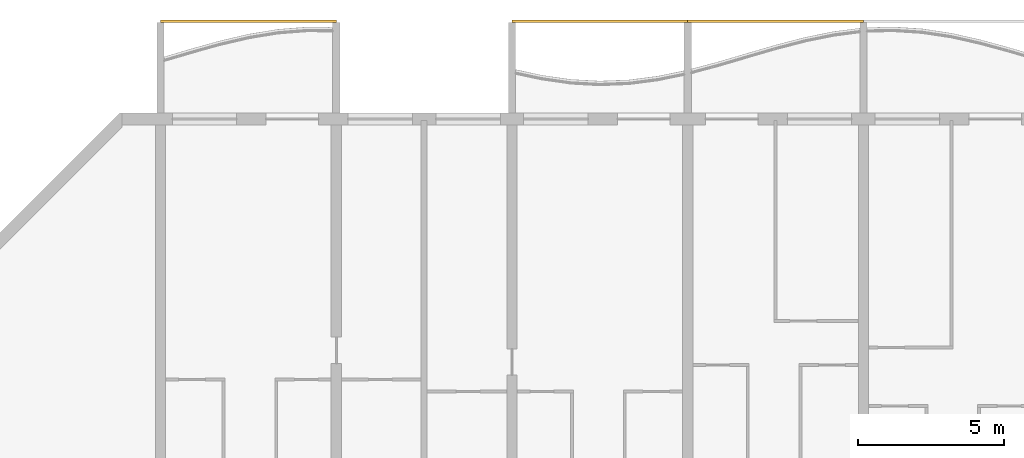
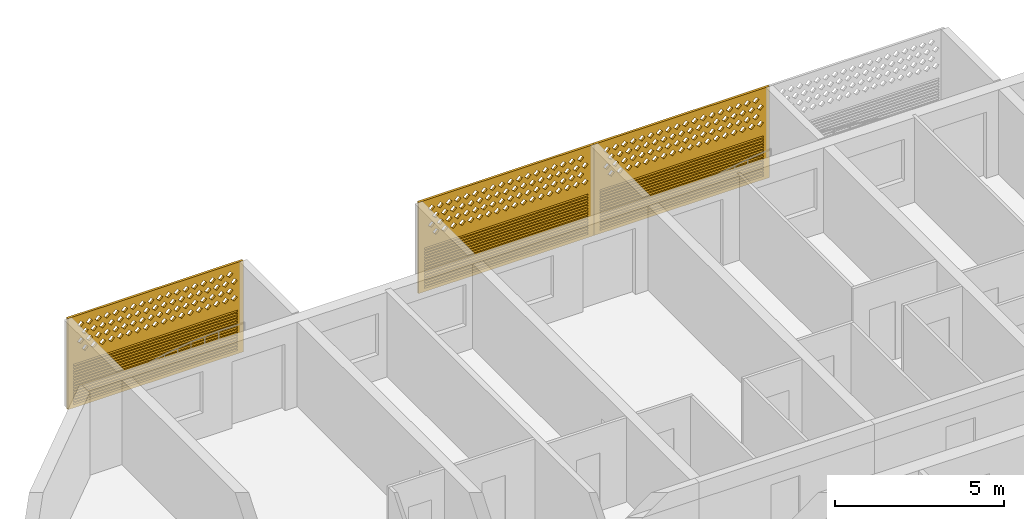
# One storey, part 20 of 25: 3 coverings.
"""IFC4 building model written with IfcOpenShell, lengths in metres."""

from ifc_helpers import new_model, si_unit, direction, frame, origin, place, context, subcontext, project, spatial, polyline, outline, extrude, source, transform, mapped, material, material_profile, profile_set, type_object, element, save


model = new_model("IFC4")

# Units and contexts
model_context = context("Model", 3, precision=1e-05, world=origin(), true_north=direction((0.0, 1.0)))
body_context = subcontext(model_context, "Body", "Model", "MODEL_VIEW")
ifc_project = project(units=[si_unit("LENGTHUNIT", "METRE"), si_unit("AREAUNIT", "SQUARE_METRE"), si_unit("VOLUMEUNIT", "CUBIC_METRE"), si_unit("PLANEANGLEUNIT", "RADIAN"), si_unit("MASSUNIT", "GRAM", prefix="KILO")], contexts=[model_context])

# Site, building, storey
site_placement = place(None, origin())
site = spatial("IfcSite", under=ifc_project, at=site_placement, CompositionType="ELEMENT")
building_placement = place(site_placement, origin())
building = spatial("IfcBuilding", under=site, at=building_placement, Name="Poui Terraces", CompositionType="ELEMENT")
storey_placement = place(building_placement, frame((0.0, 0.0, 89.39990234375)))
storey = spatial("IfcBuildingStorey", under=building, at=storey_placement, Name="L24", CompositionType="ELEMENT", Elevation=89.39990234375)

# Coverings
ifc_material = material(Name="Terracotta screen", Category="masonry")
ifc_material_profile = material_profile(ifc_material, outline(polyline([(-3.0, -1.64990234375), (3.0, -1.64990234375), (3.0, 1.64990234375), (-3.0, 1.64990234375), (-3.0, -1.64990234375)]), holes=[polyline([(-2.800048828125, 0.39990234375), (-2.68994140625, 0.2900390625), (-2.580078125, 0.39990234375), (-2.68994140625, 0.510009765625), (-2.800048828125, 0.39990234375)]), polyline([(-2.5, 0.39990234375), (-2.389892578125, 0.2900390625), (-2.280029296875, 0.39990234375), (-2.389892578125, 0.510009765625), (-2.5, 0.39990234375)]), polyline([(-2.199951171875, 0.39990234375), (-2.090087890625, 0.2900390625), (-1.97998046875, 0.39990234375), (-2.090087890625, 0.510009765625), (-2.199951171875, 0.39990234375)]), polyline([(-1.89990234375, 0.39990234375), (-1.7900390625, 0.2900390625), (-1.679931640625, 0.39990234375), (-1.7900390625, 0.510009765625), (-1.89990234375, 0.39990234375)]), polyline([(-1.60009765625, 0.39990234375), (-1.489990234375, 0.2900390625), (-1.3798828125, 0.39990234375), (-1.489990234375, 0.510009765625), (-1.60009765625, 0.39990234375)]), polyline([(-1.300048828125, 0.39990234375), (-1.18994140625, 0.2900390625), (-1.080078125, 0.39990234375), (-1.18994140625, 0.510009765625), (-1.300048828125, 0.39990234375)]), polyline([(-1.0, 0.39990234375), (-0.889892578125, 0.2900390625), (-0.780029296875, 0.39990234375), (-0.889892578125, 0.510009765625), (-1.0, 0.39990234375)]), polyline([(-0.699951171875, 0.39990234375), (-0.590087890625, 0.2900390625), (-0.47998046875, 0.39990234375), (-0.590087890625, 0.510009765625), (-0.699951171875, 0.39990234375)]), polyline([(-0.39990234375, 0.39990234375), (-0.2900390625, 0.2900390625), (-0.179931640625, 0.39990234375), (-0.2900390625, 0.510009765625), (-0.39990234375, 0.39990234375)]), polyline([(-0.10009765625, 0.39990234375), (0.010009765625, 0.2900390625), (0.1201171875, 0.39990234375), (0.010009765625, 0.510009765625), (-0.10009765625, 0.39990234375)]), polyline([(0.199951171875, 0.39990234375), (0.31005859375, 0.2900390625), (0.419921875, 0.39990234375), (0.31005859375, 0.510009765625), (0.199951171875, 0.39990234375)]), polyline([(0.5, 0.39990234375), (0.610107421875, 0.2900390625), (0.719970703125, 0.39990234375), (0.610107421875, 0.510009765625), (0.5, 0.39990234375)]), polyline([(0.800048828125, 0.39990234375), (0.909912109375, 0.2900390625), (1.02001953125, 0.39990234375), (0.909912109375, 0.510009765625), (0.800048828125, 0.39990234375)]), polyline([(1.10009765625, 0.39990234375), (1.2099609375, 0.2900390625), (1.320068359375, 0.39990234375), (1.2099609375, 0.510009765625), (1.10009765625, 0.39990234375)]), polyline([(1.39990234375, 0.39990234375), (1.510009765625, 0.2900390625), (1.6201171875, 0.39990234375), (1.510009765625, 0.510009765625), (1.39990234375, 0.39990234375)]), polyline([(1.699951171875, 0.39990234375), (1.81005859375, 0.2900390625), (1.919921875, 0.39990234375), (1.81005859375, 0.510009765625), (1.699951171875, 0.39990234375)]), polyline([(2.0, 0.39990234375), (2.110107421875, 0.2900390625), (2.219970703125, 0.39990234375), (2.110107421875, 0.510009765625), (2.0, 0.39990234375)]), polyline([(2.300048828125, 0.39990234375), (2.409912109375, 0.2900390625), (2.52001953125, 0.39990234375), (2.409912109375, 0.510009765625), (2.300048828125, 0.39990234375)]), polyline([(-2.64990234375, 0.699951171875), (-2.5400390625, 0.590087890625), (-2.429931640625, 0.699951171875), (-2.5400390625, 0.81005859375), (-2.64990234375, 0.699951171875)]), polyline([(-2.35009765625, 0.699951171875), (-2.239990234375, 0.590087890625), (-2.1298828125, 0.699951171875), (-2.239990234375, 0.81005859375), (-2.35009765625, 0.699951171875)]), polyline([(-2.050048828125, 0.699951171875), (-1.93994140625, 0.590087890625), (-1.830078125, 0.699951171875), (-1.93994140625, 0.81005859375), (-2.050048828125, 0.699951171875)]), polyline([(-1.75, 0.699951171875), (-1.639892578125, 0.590087890625), (-1.530029296875, 0.699951171875), (-1.639892578125, 0.81005859375), (-1.75, 0.699951171875)]), polyline([(-1.449951171875, 0.699951171875), (-1.340087890625, 0.590087890625), (-1.22998046875, 0.699951171875), (-1.340087890625, 0.81005859375), (-1.449951171875, 0.699951171875)]), polyline([(-1.14990234375, 0.699951171875), (-1.0400390625, 0.590087890625), (-0.929931640625, 0.699951171875), (-1.0400390625, 0.81005859375), (-1.14990234375, 0.699951171875)]), polyline([(-0.85009765625, 0.699951171875), (-0.739990234375, 0.590087890625), (-0.6298828125, 0.699951171875), (-0.739990234375, 0.81005859375), (-0.85009765625, 0.699951171875)]), polyline([(-0.550048828125, 0.699951171875), (-0.43994140625, 0.590087890625), (-0.330078125, 0.699951171875), (-0.43994140625, 0.81005859375), (-0.550048828125, 0.699951171875)]), polyline([(-0.25, 0.699951171875), (-0.139892578125, 0.590087890625), (-0.030029296875, 0.699951171875), (-0.139892578125, 0.81005859375), (-0.25, 0.699951171875)]), polyline([(0.050048828125, 0.699951171875), (0.159912109375, 0.590087890625), (0.27001953125, 0.699951171875), (0.159912109375, 0.81005859375), (0.050048828125, 0.699951171875)]), polyline([(0.35009765625, 0.699951171875), (0.4599609375, 0.590087890625), (0.570068359375, 0.699951171875), (0.4599609375, 0.81005859375), (0.35009765625, 0.699951171875)]), polyline([(0.64990234375, 0.699951171875), (0.760009765625, 0.590087890625), (0.8701171875, 0.699951171875), (0.760009765625, 0.81005859375), (0.64990234375, 0.699951171875)]), polyline([(0.949951171875, 0.699951171875), (1.06005859375, 0.590087890625), (1.169921875, 0.699951171875), (1.06005859375, 0.81005859375), (0.949951171875, 0.699951171875)]), polyline([(1.25, 0.699951171875), (1.360107421875, 0.590087890625), (1.469970703125, 0.699951171875), (1.360107421875, 0.81005859375), (1.25, 0.699951171875)]), polyline([(1.550048828125, 0.699951171875), (1.659912109375, 0.590087890625), (1.77001953125, 0.699951171875), (1.659912109375, 0.81005859375), (1.550048828125, 0.699951171875)]), polyline([(1.85009765625, 0.699951171875), (1.9599609375, 0.590087890625), (2.070068359375, 0.699951171875), (1.9599609375, 0.81005859375), (1.85009765625, 0.699951171875)]), polyline([(2.14990234375, 0.699951171875), (2.260009765625, 0.590087890625), (2.3701171875, 0.699951171875), (2.260009765625, 0.81005859375), (2.14990234375, 0.699951171875)]), polyline([(2.449951171875, 0.699951171875), (2.56005859375, 0.590087890625), (2.669921875, 0.699951171875), (2.56005859375, 0.81005859375), (2.449951171875, 0.699951171875)]), polyline([(-2.800048828125, 1.0), (-2.68994140625, 0.889892578125), (-2.580078125, 1.0), (-2.68994140625, 1.110107421875), (-2.800048828125, 1.0)]), polyline([(-2.5, 1.0), (-2.389892578125, 0.889892578125), (-2.280029296875, 1.0), (-2.389892578125, 1.110107421875), (-2.5, 1.0)]), polyline([(-2.199951171875, 1.0), (-2.090087890625, 0.889892578125), (-1.97998046875, 1.0), (-2.090087890625, 1.110107421875), (-2.199951171875, 1.0)]), polyline([(-1.89990234375, 1.0), (-1.7900390625, 0.889892578125), (-1.679931640625, 1.0), (-1.7900390625, 1.110107421875), (-1.89990234375, 1.0)]), polyline([(-1.60009765625, 1.0), (-1.489990234375, 0.889892578125), (-1.3798828125, 1.0), (-1.489990234375, 1.110107421875), (-1.60009765625, 1.0)]), polyline([(-1.300048828125, 1.0), (-1.18994140625, 0.889892578125), (-1.080078125, 1.0), (-1.18994140625, 1.110107421875), (-1.300048828125, 1.0)]), polyline([(-1.0, 1.0), (-0.889892578125, 0.889892578125), (-0.780029296875, 1.0), (-0.889892578125, 1.110107421875), (-1.0, 1.0)]), polyline([(-0.699951171875, 1.0), (-0.590087890625, 0.889892578125), (-0.47998046875, 1.0), (-0.590087890625, 1.110107421875), (-0.699951171875, 1.0)]), polyline([(-0.39990234375, 1.0), (-0.2900390625, 0.889892578125), (-0.179931640625, 1.0), (-0.2900390625, 1.110107421875), (-0.39990234375, 1.0)]), polyline([(-0.10009765625, 1.0), (0.010009765625, 0.889892578125), (0.1201171875, 1.0), (0.010009765625, 1.110107421875), (-0.10009765625, 1.0)]), polyline([(0.199951171875, 1.0), (0.31005859375, 0.889892578125), (0.419921875, 1.0), (0.31005859375, 1.110107421875), (0.199951171875, 1.0)]), polyline([(0.5, 1.0), (0.610107421875, 0.889892578125), (0.719970703125, 1.0), (0.610107421875, 1.110107421875), (0.5, 1.0)]), polyline([(0.800048828125, 1.0), (0.909912109375, 0.889892578125), (1.02001953125, 1.0), (0.909912109375, 1.110107421875), (0.800048828125, 1.0)]), polyline([(1.10009765625, 1.0), (1.2099609375, 0.889892578125), (1.320068359375, 1.0), (1.2099609375, 1.110107421875), (1.10009765625, 1.0)]), polyline([(1.39990234375, 1.0), (1.510009765625, 0.889892578125), (1.6201171875, 1.0), (1.510009765625, 1.110107421875), (1.39990234375, 1.0)]), polyline([(1.699951171875, 1.0), (1.81005859375, 0.889892578125), (1.919921875, 1.0), (1.81005859375, 1.110107421875), (1.699951171875, 1.0)]), polyline([(2.0, 1.0), (2.110107421875, 0.889892578125), (2.219970703125, 1.0), (2.110107421875, 1.110107421875), (2.0, 1.0)]), polyline([(2.300048828125, 1.0), (2.409912109375, 0.889892578125), (2.52001953125, 1.0), (2.409912109375, 1.110107421875), (2.300048828125, 1.0)]), polyline([(-2.64990234375, 1.300048828125), (-2.5400390625, 1.18994140625), (-2.429931640625, 1.300048828125), (-2.5400390625, 1.409912109375), (-2.64990234375, 1.300048828125)]), polyline([(-2.35009765625, 1.300048828125), (-2.239990234375, 1.18994140625), (-2.1298828125, 1.300048828125), (-2.239990234375, 1.409912109375), (-2.35009765625, 1.300048828125)]), polyline([(-2.050048828125, 1.300048828125), (-1.93994140625, 1.18994140625), (-1.830078125, 1.300048828125), (-1.93994140625, 1.409912109375), (-2.050048828125, 1.300048828125)]), polyline([(-1.75, 1.300048828125), (-1.639892578125, 1.18994140625), (-1.530029296875, 1.300048828125), (-1.639892578125, 1.409912109375), (-1.75, 1.300048828125)]), polyline([(-1.449951171875, 1.300048828125), (-1.340087890625, 1.18994140625), (-1.22998046875, 1.300048828125), (-1.340087890625, 1.409912109375), (-1.449951171875, 1.300048828125)]), polyline([(-1.14990234375, 1.300048828125), (-1.0400390625, 1.18994140625), (-0.929931640625, 1.300048828125), (-1.0400390625, 1.409912109375), (-1.14990234375, 1.300048828125)]), polyline([(-0.85009765625, 1.300048828125), (-0.739990234375, 1.18994140625), (-0.6298828125, 1.300048828125), (-0.739990234375, 1.409912109375), (-0.85009765625, 1.300048828125)]), polyline([(-0.550048828125, 1.300048828125), (-0.43994140625, 1.18994140625), (-0.330078125, 1.300048828125), (-0.43994140625, 1.409912109375), (-0.550048828125, 1.300048828125)]), polyline([(-0.25, 1.300048828125), (-0.139892578125, 1.18994140625), (-0.030029296875, 1.300048828125), (-0.139892578125, 1.409912109375), (-0.25, 1.300048828125)]), polyline([(0.050048828125, 1.300048828125), (0.159912109375, 1.18994140625), (0.27001953125, 1.300048828125), (0.159912109375, 1.409912109375), (0.050048828125, 1.300048828125)]), polyline([(0.35009765625, 1.300048828125), (0.4599609375, 1.18994140625), (0.570068359375, 1.300048828125), (0.4599609375, 1.409912109375), (0.35009765625, 1.300048828125)]), polyline([(0.64990234375, 1.300048828125), (0.760009765625, 1.18994140625), (0.8701171875, 1.300048828125), (0.760009765625, 1.409912109375), (0.64990234375, 1.300048828125)]), polyline([(0.949951171875, 1.300048828125), (1.06005859375, 1.18994140625), (1.169921875, 1.300048828125), (1.06005859375, 1.409912109375), (0.949951171875, 1.300048828125)]), polyline([(1.25, 1.300048828125), (1.360107421875, 1.18994140625), (1.469970703125, 1.300048828125), (1.360107421875, 1.409912109375), (1.25, 1.300048828125)]), polyline([(1.550048828125, 1.300048828125), (1.659912109375, 1.18994140625), (1.77001953125, 1.300048828125), (1.659912109375, 1.409912109375), (1.550048828125, 1.300048828125)]), polyline([(1.85009765625, 1.300048828125), (1.9599609375, 1.18994140625), (2.070068359375, 1.300048828125), (1.9599609375, 1.409912109375), (1.85009765625, 1.300048828125)]), polyline([(2.14990234375, 1.300048828125), (2.260009765625, 1.18994140625), (2.3701171875, 1.300048828125), (2.260009765625, 1.409912109375), (2.14990234375, 1.300048828125)]), polyline([(2.449951171875, 1.300048828125), (2.56005859375, 1.18994140625), (2.669921875, 1.300048828125), (2.56005859375, 1.409912109375), (2.449951171875, 1.300048828125)]), polyline([(-2.800048828125, -1.530029296875), (2.800048828125, -1.530029296875), (2.800048828125, -1.469970703125), (-2.800048828125, -1.469970703125), (-2.800048828125, -1.530029296875)]), polyline([(-2.800048828125, -1.429931640625), (2.800048828125, -1.429931640625), (2.800048828125, -1.3701171875), (-2.800048828125, -1.3701171875), (-2.800048828125, -1.429931640625)]), polyline([(-2.800048828125, -1.330078125), (2.800048828125, -1.330078125), (2.800048828125, -1.27001953125), (-2.800048828125, -1.27001953125), (-2.800048828125, -1.330078125)]), polyline([(-2.800048828125, -1.22998046875), (2.800048828125, -1.22998046875), (2.800048828125, -1.169921875), (-2.800048828125, -1.169921875), (-2.800048828125, -1.22998046875)]), polyline([(-2.800048828125, -1.1298828125), (2.800048828125, -1.1298828125), (2.800048828125, -1.070068359375), (-2.800048828125, -1.070068359375), (-2.800048828125, -1.1298828125)]), polyline([(-2.800048828125, -1.030029296875), (2.800048828125, -1.030029296875), (2.800048828125, -0.969970703125), (-2.800048828125, -0.969970703125), (-2.800048828125, -1.030029296875)]), polyline([(-2.800048828125, -0.929931640625), (2.800048828125, -0.929931640625), (2.800048828125, -0.8701171875), (-2.800048828125, -0.8701171875), (-2.800048828125, -0.929931640625)]), polyline([(-2.800048828125, -0.830078125), (2.800048828125, -0.830078125), (2.800048828125, -0.77001953125), (-2.800048828125, -0.77001953125), (-2.800048828125, -0.830078125)]), polyline([(-2.800048828125, -0.72998046875), (2.800048828125, -0.72998046875), (2.800048828125, -0.669921875), (-2.800048828125, -0.669921875), (-2.800048828125, -0.72998046875)]), polyline([(-2.800048828125, -0.6298828125), (2.800048828125, -0.6298828125), (2.800048828125, -0.570068359375), (-2.800048828125, -0.570068359375), (-2.800048828125, -0.6298828125)]), polyline([(-2.800048828125, -0.530029296875), (2.800048828125, -0.530029296875), (2.800048828125, -0.469970703125), (-2.800048828125, -0.469970703125), (-2.800048828125, -0.530029296875)]), polyline([(-2.800048828125, -0.429931640625), (2.800048828125, -0.429931640625), (2.800048828125, -0.3701171875), (-2.800048828125, -0.3701171875), (-2.800048828125, -0.429931640625)]), polyline([(-2.800048828125, -0.330078125), (2.800048828125, -0.330078125), (2.800048828125, -0.27001953125), (-2.800048828125, -0.27001953125), (-2.800048828125, -0.330078125)]), polyline([(-2.800048828125, -0.22998046875), (2.800048828125, -0.22998046875), (2.800048828125, -0.169921875), (-2.800048828125, -0.169921875), (-2.800048828125, -0.22998046875)]), polyline([(-2.800048828125, -0.1298828125), (2.800048828125, -0.1298828125), (2.800048828125, -0.070068359375), (-2.800048828125, -0.070068359375), (-2.800048828125, -0.1298828125)])]), Name="TERRACOTTA SCREEN AND JALOUSIE LOUVRE 6000X3300")
ifc_profile_set = profile_set([ifc_material_profile], Name="Terracotta screen")
covering_type = type_object("IfcCoveringType", Name="TERRACOTTA SCREEN AND JALOUSIE LOUVRE 6000X3300", PredefinedType="CLADDING", material=ifc_profile_set)
shared_shape = source(origin(), body_context, "Body", "SweptSolid", [
    extrude(outline(polyline([(-3.0, -1.64990234375), (3.0, -1.64990234375), (3.0, 1.64990234375), (-3.0, 1.64990234375), (-3.0, -1.64990234375)]), holes=[polyline([(-2.800048828125, 0.39990234375), (-2.68994140625, 0.2900390625), (-2.580078125, 0.39990234375), (-2.68994140625, 0.510009765625), (-2.800048828125, 0.39990234375)]), polyline([(-2.5, 0.39990234375), (-2.389892578125, 0.2900390625), (-2.280029296875, 0.39990234375), (-2.389892578125, 0.510009765625), (-2.5, 0.39990234375)]), polyline([(-2.199951171875, 0.39990234375), (-2.090087890625, 0.2900390625), (-1.97998046875, 0.39990234375), (-2.090087890625, 0.510009765625), (-2.199951171875, 0.39990234375)]), polyline([(-1.89990234375, 0.39990234375), (-1.7900390625, 0.2900390625), (-1.679931640625, 0.39990234375), (-1.7900390625, 0.510009765625), (-1.89990234375, 0.39990234375)]), polyline([(-1.60009765625, 0.39990234375), (-1.489990234375, 0.2900390625), (-1.3798828125, 0.39990234375), (-1.489990234375, 0.510009765625), (-1.60009765625, 0.39990234375)]), polyline([(-1.300048828125, 0.39990234375), (-1.18994140625, 0.2900390625), (-1.080078125, 0.39990234375), (-1.18994140625, 0.510009765625), (-1.300048828125, 0.39990234375)]), polyline([(-1.0, 0.39990234375), (-0.889892578125, 0.2900390625), (-0.780029296875, 0.39990234375), (-0.889892578125, 0.510009765625), (-1.0, 0.39990234375)]), polyline([(-0.699951171875, 0.39990234375), (-0.590087890625, 0.2900390625), (-0.47998046875, 0.39990234375), (-0.590087890625, 0.510009765625), (-0.699951171875, 0.39990234375)]), polyline([(-0.39990234375, 0.39990234375), (-0.2900390625, 0.2900390625), (-0.179931640625, 0.39990234375), (-0.2900390625, 0.510009765625), (-0.39990234375, 0.39990234375)]), polyline([(-0.10009765625, 0.39990234375), (0.010009765625, 0.2900390625), (0.1201171875, 0.39990234375), (0.010009765625, 0.510009765625), (-0.10009765625, 0.39990234375)]), polyline([(0.199951171875, 0.39990234375), (0.31005859375, 0.2900390625), (0.419921875, 0.39990234375), (0.31005859375, 0.510009765625), (0.199951171875, 0.39990234375)]), polyline([(0.5, 0.39990234375), (0.610107421875, 0.2900390625), (0.719970703125, 0.39990234375), (0.610107421875, 0.510009765625), (0.5, 0.39990234375)]), polyline([(0.800048828125, 0.39990234375), (0.909912109375, 0.2900390625), (1.02001953125, 0.39990234375), (0.909912109375, 0.510009765625), (0.800048828125, 0.39990234375)]), polyline([(1.10009765625, 0.39990234375), (1.2099609375, 0.2900390625), (1.320068359375, 0.39990234375), (1.2099609375, 0.510009765625), (1.10009765625, 0.39990234375)]), polyline([(1.39990234375, 0.39990234375), (1.510009765625, 0.2900390625), (1.6201171875, 0.39990234375), (1.510009765625, 0.510009765625), (1.39990234375, 0.39990234375)]), polyline([(1.699951171875, 0.39990234375), (1.81005859375, 0.2900390625), (1.919921875, 0.39990234375), (1.81005859375, 0.510009765625), (1.699951171875, 0.39990234375)]), polyline([(2.0, 0.39990234375), (2.110107421875, 0.2900390625), (2.219970703125, 0.39990234375), (2.110107421875, 0.510009765625), (2.0, 0.39990234375)]), polyline([(2.300048828125, 0.39990234375), (2.409912109375, 0.2900390625), (2.52001953125, 0.39990234375), (2.409912109375, 0.510009765625), (2.300048828125, 0.39990234375)]), polyline([(-2.64990234375, 0.699951171875), (-2.5400390625, 0.590087890625), (-2.429931640625, 0.699951171875), (-2.5400390625, 0.81005859375), (-2.64990234375, 0.699951171875)]), polyline([(-2.35009765625, 0.699951171875), (-2.239990234375, 0.590087890625), (-2.1298828125, 0.699951171875), (-2.239990234375, 0.81005859375), (-2.35009765625, 0.699951171875)]), polyline([(-2.050048828125, 0.699951171875), (-1.93994140625, 0.590087890625), (-1.830078125, 0.699951171875), (-1.93994140625, 0.81005859375), (-2.050048828125, 0.699951171875)]), polyline([(-1.75, 0.699951171875), (-1.639892578125, 0.590087890625), (-1.530029296875, 0.699951171875), (-1.639892578125, 0.81005859375), (-1.75, 0.699951171875)]), polyline([(-1.449951171875, 0.699951171875), (-1.340087890625, 0.590087890625), (-1.22998046875, 0.699951171875), (-1.340087890625, 0.81005859375), (-1.449951171875, 0.699951171875)]), polyline([(-1.14990234375, 0.699951171875), (-1.0400390625, 0.590087890625), (-0.929931640625, 0.699951171875), (-1.0400390625, 0.81005859375), (-1.14990234375, 0.699951171875)]), polyline([(-0.85009765625, 0.699951171875), (-0.739990234375, 0.590087890625), (-0.6298828125, 0.699951171875), (-0.739990234375, 0.81005859375), (-0.85009765625, 0.699951171875)]), polyline([(-0.550048828125, 0.699951171875), (-0.43994140625, 0.590087890625), (-0.330078125, 0.699951171875), (-0.43994140625, 0.81005859375), (-0.550048828125, 0.699951171875)]), polyline([(-0.25, 0.699951171875), (-0.139892578125, 0.590087890625), (-0.030029296875, 0.699951171875), (-0.139892578125, 0.81005859375), (-0.25, 0.699951171875)]), polyline([(0.050048828125, 0.699951171875), (0.159912109375, 0.590087890625), (0.27001953125, 0.699951171875), (0.159912109375, 0.81005859375), (0.050048828125, 0.699951171875)]), polyline([(0.35009765625, 0.699951171875), (0.4599609375, 0.590087890625), (0.570068359375, 0.699951171875), (0.4599609375, 0.81005859375), (0.35009765625, 0.699951171875)]), polyline([(0.64990234375, 0.699951171875), (0.760009765625, 0.590087890625), (0.8701171875, 0.699951171875), (0.760009765625, 0.81005859375), (0.64990234375, 0.699951171875)]), polyline([(0.949951171875, 0.699951171875), (1.06005859375, 0.590087890625), (1.169921875, 0.699951171875), (1.06005859375, 0.81005859375), (0.949951171875, 0.699951171875)]), polyline([(1.25, 0.699951171875), (1.360107421875, 0.590087890625), (1.469970703125, 0.699951171875), (1.360107421875, 0.81005859375), (1.25, 0.699951171875)]), polyline([(1.550048828125, 0.699951171875), (1.659912109375, 0.590087890625), (1.77001953125, 0.699951171875), (1.659912109375, 0.81005859375), (1.550048828125, 0.699951171875)]), polyline([(1.85009765625, 0.699951171875), (1.9599609375, 0.590087890625), (2.070068359375, 0.699951171875), (1.9599609375, 0.81005859375), (1.85009765625, 0.699951171875)]), polyline([(2.14990234375, 0.699951171875), (2.260009765625, 0.590087890625), (2.3701171875, 0.699951171875), (2.260009765625, 0.81005859375), (2.14990234375, 0.699951171875)]), polyline([(2.449951171875, 0.699951171875), (2.56005859375, 0.590087890625), (2.669921875, 0.699951171875), (2.56005859375, 0.81005859375), (2.449951171875, 0.699951171875)]), polyline([(-2.800048828125, 1.0), (-2.68994140625, 0.889892578125), (-2.580078125, 1.0), (-2.68994140625, 1.110107421875), (-2.800048828125, 1.0)]), polyline([(-2.5, 1.0), (-2.389892578125, 0.889892578125), (-2.280029296875, 1.0), (-2.389892578125, 1.110107421875), (-2.5, 1.0)]), polyline([(-2.199951171875, 1.0), (-2.090087890625, 0.889892578125), (-1.97998046875, 1.0), (-2.090087890625, 1.110107421875), (-2.199951171875, 1.0)]), polyline([(-1.89990234375, 1.0), (-1.7900390625, 0.889892578125), (-1.679931640625, 1.0), (-1.7900390625, 1.110107421875), (-1.89990234375, 1.0)]), polyline([(-1.60009765625, 1.0), (-1.489990234375, 0.889892578125), (-1.3798828125, 1.0), (-1.489990234375, 1.110107421875), (-1.60009765625, 1.0)]), polyline([(-1.300048828125, 1.0), (-1.18994140625, 0.889892578125), (-1.080078125, 1.0), (-1.18994140625, 1.110107421875), (-1.300048828125, 1.0)]), polyline([(-1.0, 1.0), (-0.889892578125, 0.889892578125), (-0.780029296875, 1.0), (-0.889892578125, 1.110107421875), (-1.0, 1.0)]), polyline([(-0.699951171875, 1.0), (-0.590087890625, 0.889892578125), (-0.47998046875, 1.0), (-0.590087890625, 1.110107421875), (-0.699951171875, 1.0)]), polyline([(-0.39990234375, 1.0), (-0.2900390625, 0.889892578125), (-0.179931640625, 1.0), (-0.2900390625, 1.110107421875), (-0.39990234375, 1.0)]), polyline([(-0.10009765625, 1.0), (0.010009765625, 0.889892578125), (0.1201171875, 1.0), (0.010009765625, 1.110107421875), (-0.10009765625, 1.0)]), polyline([(0.199951171875, 1.0), (0.31005859375, 0.889892578125), (0.419921875, 1.0), (0.31005859375, 1.110107421875), (0.199951171875, 1.0)]), polyline([(0.5, 1.0), (0.610107421875, 0.889892578125), (0.719970703125, 1.0), (0.610107421875, 1.110107421875), (0.5, 1.0)]), polyline([(0.800048828125, 1.0), (0.909912109375, 0.889892578125), (1.02001953125, 1.0), (0.909912109375, 1.110107421875), (0.800048828125, 1.0)]), polyline([(1.10009765625, 1.0), (1.2099609375, 0.889892578125), (1.320068359375, 1.0), (1.2099609375, 1.110107421875), (1.10009765625, 1.0)]), polyline([(1.39990234375, 1.0), (1.510009765625, 0.889892578125), (1.6201171875, 1.0), (1.510009765625, 1.110107421875), (1.39990234375, 1.0)]), polyline([(1.699951171875, 1.0), (1.81005859375, 0.889892578125), (1.919921875, 1.0), (1.81005859375, 1.110107421875), (1.699951171875, 1.0)]), polyline([(2.0, 1.0), (2.110107421875, 0.889892578125), (2.219970703125, 1.0), (2.110107421875, 1.110107421875), (2.0, 1.0)]), polyline([(2.300048828125, 1.0), (2.409912109375, 0.889892578125), (2.52001953125, 1.0), (2.409912109375, 1.110107421875), (2.300048828125, 1.0)]), polyline([(-2.64990234375, 1.300048828125), (-2.5400390625, 1.18994140625), (-2.429931640625, 1.300048828125), (-2.5400390625, 1.409912109375), (-2.64990234375, 1.300048828125)]), polyline([(-2.35009765625, 1.300048828125), (-2.239990234375, 1.18994140625), (-2.1298828125, 1.300048828125), (-2.239990234375, 1.409912109375), (-2.35009765625, 1.300048828125)]), polyline([(-2.050048828125, 1.300048828125), (-1.93994140625, 1.18994140625), (-1.830078125, 1.300048828125), (-1.93994140625, 1.409912109375), (-2.050048828125, 1.300048828125)]), polyline([(-1.75, 1.300048828125), (-1.639892578125, 1.18994140625), (-1.530029296875, 1.300048828125), (-1.639892578125, 1.409912109375), (-1.75, 1.300048828125)]), polyline([(-1.449951171875, 1.300048828125), (-1.340087890625, 1.18994140625), (-1.22998046875, 1.300048828125), (-1.340087890625, 1.409912109375), (-1.449951171875, 1.300048828125)]), polyline([(-1.14990234375, 1.300048828125), (-1.0400390625, 1.18994140625), (-0.929931640625, 1.300048828125), (-1.0400390625, 1.409912109375), (-1.14990234375, 1.300048828125)]), polyline([(-0.85009765625, 1.300048828125), (-0.739990234375, 1.18994140625), (-0.6298828125, 1.300048828125), (-0.739990234375, 1.409912109375), (-0.85009765625, 1.300048828125)]), polyline([(-0.550048828125, 1.300048828125), (-0.43994140625, 1.18994140625), (-0.330078125, 1.300048828125), (-0.43994140625, 1.409912109375), (-0.550048828125, 1.300048828125)]), polyline([(-0.25, 1.300048828125), (-0.139892578125, 1.18994140625), (-0.030029296875, 1.300048828125), (-0.139892578125, 1.409912109375), (-0.25, 1.300048828125)]), polyline([(0.050048828125, 1.300048828125), (0.159912109375, 1.18994140625), (0.27001953125, 1.300048828125), (0.159912109375, 1.409912109375), (0.050048828125, 1.300048828125)]), polyline([(0.35009765625, 1.300048828125), (0.4599609375, 1.18994140625), (0.570068359375, 1.300048828125), (0.4599609375, 1.409912109375), (0.35009765625, 1.300048828125)]), polyline([(0.64990234375, 1.300048828125), (0.760009765625, 1.18994140625), (0.8701171875, 1.300048828125), (0.760009765625, 1.409912109375), (0.64990234375, 1.300048828125)]), polyline([(0.949951171875, 1.300048828125), (1.06005859375, 1.18994140625), (1.169921875, 1.300048828125), (1.06005859375, 1.409912109375), (0.949951171875, 1.300048828125)]), polyline([(1.25, 1.300048828125), (1.360107421875, 1.18994140625), (1.469970703125, 1.300048828125), (1.360107421875, 1.409912109375), (1.25, 1.300048828125)]), polyline([(1.550048828125, 1.300048828125), (1.659912109375, 1.18994140625), (1.77001953125, 1.300048828125), (1.659912109375, 1.409912109375), (1.550048828125, 1.300048828125)]), polyline([(1.85009765625, 1.300048828125), (1.9599609375, 1.18994140625), (2.070068359375, 1.300048828125), (1.9599609375, 1.409912109375), (1.85009765625, 1.300048828125)]), polyline([(2.14990234375, 1.300048828125), (2.260009765625, 1.18994140625), (2.3701171875, 1.300048828125), (2.260009765625, 1.409912109375), (2.14990234375, 1.300048828125)]), polyline([(2.449951171875, 1.300048828125), (2.56005859375, 1.18994140625), (2.669921875, 1.300048828125), (2.56005859375, 1.409912109375), (2.449951171875, 1.300048828125)]), polyline([(-2.800048828125, -1.530029296875), (2.800048828125, -1.530029296875), (2.800048828125, -1.469970703125), (-2.800048828125, -1.469970703125), (-2.800048828125, -1.530029296875)]), polyline([(-2.800048828125, -1.429931640625), (2.800048828125, -1.429931640625), (2.800048828125, -1.3701171875), (-2.800048828125, -1.3701171875), (-2.800048828125, -1.429931640625)]), polyline([(-2.800048828125, -1.330078125), (2.800048828125, -1.330078125), (2.800048828125, -1.27001953125), (-2.800048828125, -1.27001953125), (-2.800048828125, -1.330078125)]), polyline([(-2.800048828125, -1.22998046875), (2.800048828125, -1.22998046875), (2.800048828125, -1.169921875), (-2.800048828125, -1.169921875), (-2.800048828125, -1.22998046875)]), polyline([(-2.800048828125, -1.1298828125), (2.800048828125, -1.1298828125), (2.800048828125, -1.070068359375), (-2.800048828125, -1.070068359375), (-2.800048828125, -1.1298828125)]), polyline([(-2.800048828125, -1.030029296875), (2.800048828125, -1.030029296875), (2.800048828125, -0.969970703125), (-2.800048828125, -0.969970703125), (-2.800048828125, -1.030029296875)]), polyline([(-2.800048828125, -0.929931640625), (2.800048828125, -0.929931640625), (2.800048828125, -0.8701171875), (-2.800048828125, -0.8701171875), (-2.800048828125, -0.929931640625)]), polyline([(-2.800048828125, -0.830078125), (2.800048828125, -0.830078125), (2.800048828125, -0.77001953125), (-2.800048828125, -0.77001953125), (-2.800048828125, -0.830078125)]), polyline([(-2.800048828125, -0.72998046875), (2.800048828125, -0.72998046875), (2.800048828125, -0.669921875), (-2.800048828125, -0.669921875), (-2.800048828125, -0.72998046875)]), polyline([(-2.800048828125, -0.6298828125), (2.800048828125, -0.6298828125), (2.800048828125, -0.570068359375), (-2.800048828125, -0.570068359375), (-2.800048828125, -0.6298828125)]), polyline([(-2.800048828125, -0.530029296875), (2.800048828125, -0.530029296875), (2.800048828125, -0.469970703125), (-2.800048828125, -0.469970703125), (-2.800048828125, -0.530029296875)]), polyline([(-2.800048828125, -0.429931640625), (2.800048828125, -0.429931640625), (2.800048828125, -0.3701171875), (-2.800048828125, -0.3701171875), (-2.800048828125, -0.429931640625)]), polyline([(-2.800048828125, -0.330078125), (2.800048828125, -0.330078125), (2.800048828125, -0.27001953125), (-2.800048828125, -0.27001953125), (-2.800048828125, -0.330078125)]), polyline([(-2.800048828125, -0.22998046875), (2.800048828125, -0.22998046875), (2.800048828125, -0.169921875), (-2.800048828125, -0.169921875), (-2.800048828125, -0.22998046875)]), polyline([(-2.800048828125, -0.1298828125), (2.800048828125, -0.1298828125), (2.800048828125, -0.070068359375), (-2.800048828125, -0.070068359375), (-2.800048828125, -0.1298828125)])]), origin(), (0.0, 0.0, 1.0), 0.080078125),
])
for number, where, z_axis, x_axis, name in (
    (1, (15.0, 46.89990234375, 1.4501953125), (0.0, 1.0, 0.0), (-1.0, 0.0, 0.0), "SOLAR SCREEN AND JALOUSIE LOUVRE"),
    (2, (27.0, 46.89990234375, 1.4501953125), (0.0, 1.0, 0.0), (-1.0, 0.0, 0.0), "SOLAR SCREEN AND JALOUSIE LOUVRE"),
    (3, (33.0, 46.89990234375, 1.4501953125), (0.0, 1.0, 0.0), (-1.0, 0.0, 0.0), "SOLAR SCREEN AND JALOUSIE LOUVRE"),
):
    element("IfcCovering", number, at=place(storey_placement, frame(where, z_axis=z_axis, x_axis=x_axis)), inside=storey, type_object=covering_type, Name=name, PredefinedType="CLADDING", context=body_context, shape_type="MappedRepresentation", body=[
        mapped(shared_shape, transform((0.0, 0.0, 0.0))),
    ])

save(model, "model.ifc")
